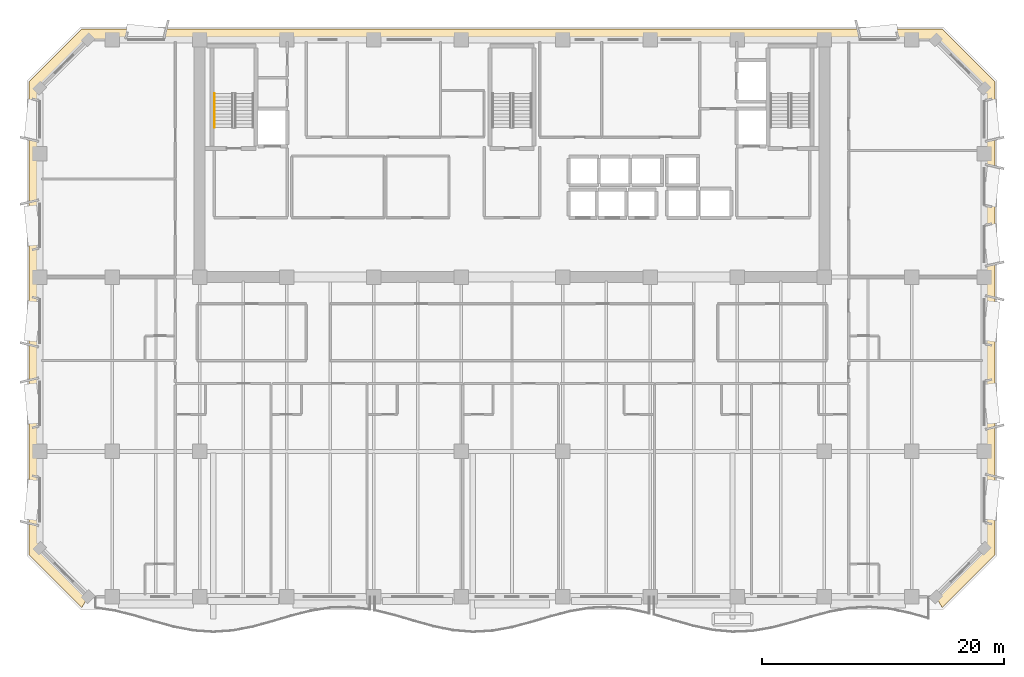
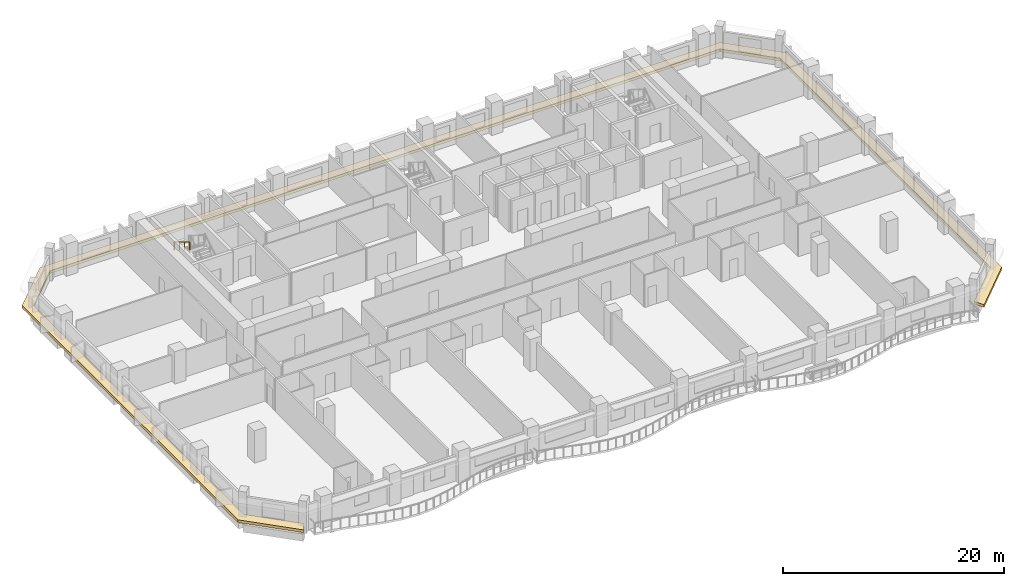
# One storey, part 12 of 15: 1 covering, 1 railing.
"""IFC4 building model written with IfcOpenShell, lengths in metres."""

from ifc_helpers import new_model, si_unit, direction, frame, origin, origin_2d, place, context, subcontext, project, spatial, polyline, rectangle, outline, extrude, material, layer, layer_set, type_object, element, save


model = new_model("IFC4")

# Units and contexts
model_context = context("Model", 3, precision=1e-05, world=origin(), true_north=direction((0.0, 1.0)))
body_context = subcontext(model_context, "Body", "Model", "MODEL_VIEW")
ifc_project = project(units=[si_unit("LENGTHUNIT", "METRE"), si_unit("AREAUNIT", "SQUARE_METRE"), si_unit("VOLUMEUNIT", "CUBIC_METRE"), si_unit("PLANEANGLEUNIT", "RADIAN"), si_unit("MASSUNIT", "GRAM", prefix="KILO")], contexts=[model_context])

# Site, building, storey
site_placement = place(None, origin())
site = spatial("IfcSite", under=ifc_project, at=site_placement, CompositionType="ELEMENT")
building_placement = place(site_placement, origin())
building = spatial("IfcBuilding", under=site, at=building_placement, Name="Kaelvorn Grand Hotel", CompositionType="ELEMENT")
storey_placement = place(building_placement, frame((0.0, 0.0, 177.14990234375)))
storey = spatial("IfcBuildingStorey", under=building, at=storey_placement, Name="L43", CompositionType="ELEMENT", Elevation=177.14990234375)

# Covering
ifc_material_1 = material(Name="Precast concrete C45/55", Category="concrete")
ifc_layer = layer(ifc_material_1, 0.219970703125)
ifc_layer_set = layer_set([ifc_layer], Name="Precast concrete C45/55")
covering_type = type_object("IfcCoveringType", Name="COV-BAND-STREAMLINE-SILL", PredefinedType="CLADDING", material=ifc_layer_set)
covering_placement = place(storey_placement, frame((0.0, 0.0, 0.4501953125)))
element("IfcCovering", 1, at=covering_placement, inside=storey, type_object=covering_type, Name="L43 Streamline Moderne Wraparound Horizontal Sill Spandrel Band", PredefinedType="CLADDING", context=body_context, shape_type="SweptSolid", body=[
    extrude(outline(polyline([(77.515380859375, 2.1201171875), (81.8798828125, 6.484619140625), (81.8798828125, 45.515380859375), (77.515380859375, 49.8798828125), (6.484619140625, 49.8798828125), (2.1201171875, 45.515380859375), (2.1201171875, 6.484619140625), (6.484619140625, 2.1201171875), (7.017578125, 3.030029296875), (3.030029296875, 7.017578125), (3.030029296875, 44.982421875), (7.017578125, 48.969970703125), (76.982421875, 48.969970703125), (80.969970703125, 44.982421875), (80.969970703125, 7.017578125), (76.982421875, 3.030029296875), (77.515380859375, 2.1201171875)])), origin(), (0.0, 0.0, 1.0), 0.2998046875),
])

# Railing
ifc_material_2 = material(Name="Stainless Steel", Category="steel")
railing_type = type_object("IfcRailingType", Name="RL-HANDRAIL-900", PredefinedType="HANDRAIL", material=ifc_material_2)
railing_placement = place(storey_placement, frame((17.449951171875, 44.56005859375, 2.07275390625)))
element("IfcRailing", 2, at=railing_placement, inside=storey, type_object=railing_type, Name="L43 ST1 stair handrail 2", PredefinedType="HANDRAIL", context=body_context, shape_type="SweptSolid", body=[
    extrude(rectangle(XDim=0.048095703125, YDim=0.048095703125, at=origin_2d()), frame((0.0, 0.0, 0.8759765625), z_axis=(0.0, -0.851089632645, 0.525020415988), x_axis=(1.0, 0.0, 0.0)), (0.0, 0.0, 1.0), 3.2900390625),
    extrude(rectangle(XDim=0.0419921875, YDim=0.0419921875, at=origin_2d()), origin(), (0.0, 0.0, 1.0), 0.851806640625),
    extrude(rectangle(XDim=0.0419921875, YDim=0.0419921875, at=origin_2d()), frame((0.0, -0.933349609375, 0.57568359375)), (0.0, 0.0, 1.0), 0.851806640625),
    extrude(rectangle(XDim=0.0419921875, YDim=0.0419921875, at=origin_2d()), frame((0.0, -1.86669921875, 1.151611328125)), (0.0, 0.0, 1.0), 0.851806640625),
    extrude(rectangle(XDim=0.0419921875, YDim=0.0419921875, at=origin_2d()), frame((0.0, -2.800048828125, 1.727294921875)), (0.0, 0.0, 1.0), 0.851806640625),
])

save(model, "model.ifc")
